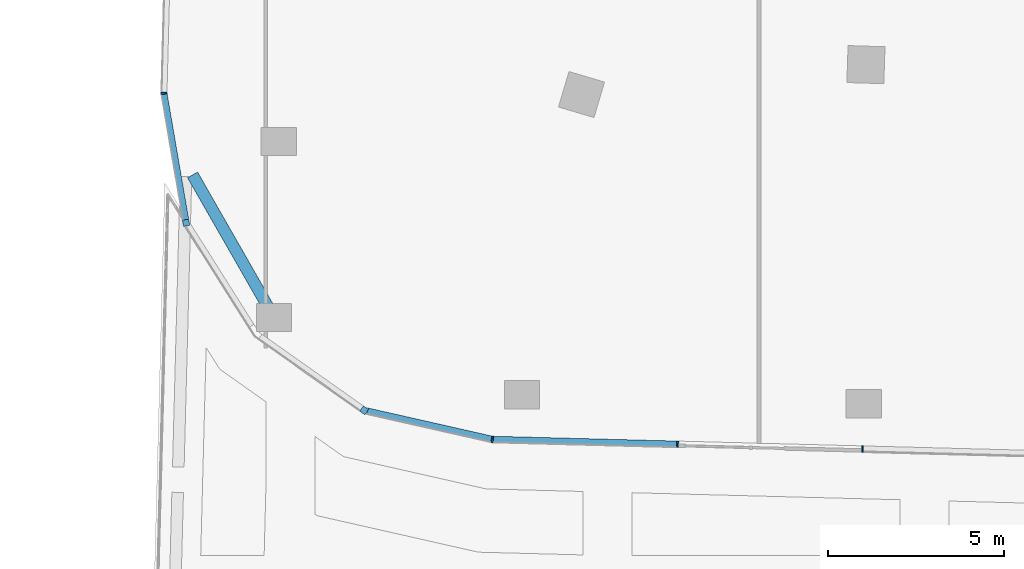
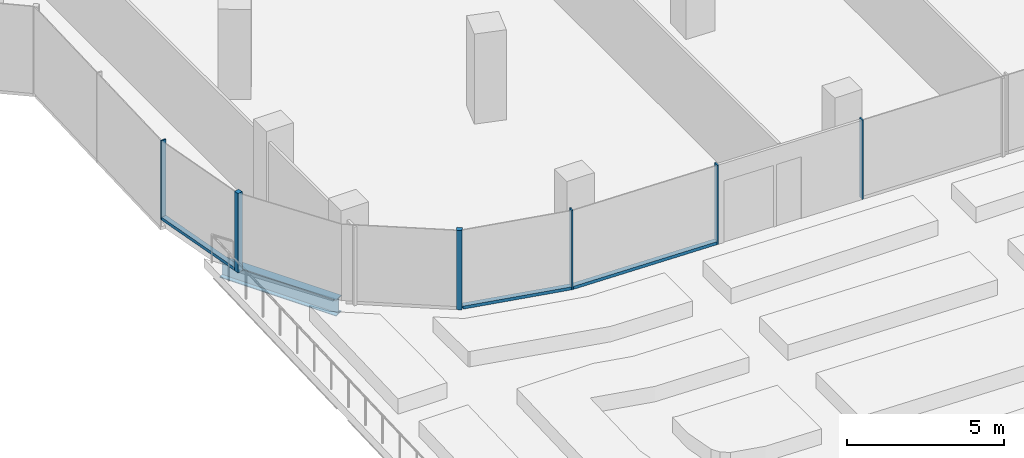
# One storey, part 2 of 25: 9 members, 1 beam, 5 elements without a shape of their own.
"""IFC4 building model written with IfcOpenShell, lengths in metres."""

from ifc_helpers import new_model, si_unit, direction, frame, origin, origin_2d, place, context, subcontext, project, spatial, rectangle, i_section, extrude, material, material_profile, profile_set, type_object, element, aggregate, save


model = new_model("IFC4")

# Units and contexts
model_context = context("Model", 3, precision=1e-05, world=origin(), true_north=direction((0.0, 1.0)))
body_context = subcontext(model_context, "Body", "Model", "MODEL_VIEW")
ifc_project = project(units=[si_unit("LENGTHUNIT", "METRE"), si_unit("AREAUNIT", "SQUARE_METRE"), si_unit("VOLUMEUNIT", "CUBIC_METRE"), si_unit("PLANEANGLEUNIT", "RADIAN"), si_unit("MASSUNIT", "GRAM", prefix="KILO")], contexts=[model_context])

# Site, building, storey
site_placement = place(None, origin())
site = spatial("IfcSite", under=ifc_project, at=site_placement, CompositionType="ELEMENT")
building_placement = place(site_placement, origin())
building = spatial("IfcBuilding", under=site, at=building_placement, Name="Orlundy Tower", CompositionType="ELEMENT")
storey_placement = place(building_placement, frame((0.0, 0.0, 217.5)))
storey = spatial("IfcBuildingStorey", under=building, at=storey_placement, Name="L57", CompositionType="ELEMENT", Elevation=217.5)

# Curtain wall, member
ifc_material_1 = material(Name="Aluminium bronze anodised", Category="aluminium")
curtain_wall_type = type_object("IfcCurtainWallType", Name="CW1 wall", PredefinedType="NOTDEFINED", material=ifc_material_1)
curtain_wall_1_placement = place(storey_placement, origin())
curtain_wall_1 = element("IfcCurtainWall", 1, at=curtain_wall_1_placement, inside=storey, type_object=curtain_wall_type, Name="CW1 run 025", PredefinedType="NOTDEFINED")
ifc_material_2 = material(Name="Aluminium bronze anodised", Category="aluminium")
ifc_material_profile_1 = material_profile(ifc_material_2, rectangle(XDim=0.179931640625, YDim=0.179931640625, at=origin_2d()), Name="CW1 corner post 180x180")
ifc_profile_set_1 = profile_set([ifc_material_profile_1], Name="Aluminium bronze anodised")
member_type_1 = type_object("IfcMemberType", Name="CW1 corner post 180x180", PredefinedType="MULLION", material=ifc_profile_set_1)
member_1_placement = place(storey_placement, frame((-15.209228515625, -39.476806640625, 0.0), z_axis=(0.0, 0.0, 1.0), x_axis=(-0.577096231381, -0.816676153518, 0.0)))
member_1 = element("IfcMember", 2, at=member_1_placement, type_object=member_type_1, Name="CW1 mullion 50", PredefinedType="MULLION", context=body_context, shape_type="SweptSolid", body=[
    extrude(rectangle(XDim=0.179931640625, YDim=0.179931640625, at=origin_2d()), origin(), (0.0, 0.0, 1.0), 3.080078125),
])
aggregate(curtain_wall_1, [member_1])

curtain_wall_2_placement = place(storey_placement, origin())
curtain_wall_2 = element("IfcCurtainWall", 3, at=curtain_wall_2_placement, inside=storey, type_object=curtain_wall_type, Name="CW1 run 027", PredefinedType="NOTDEFINED")
member_2_placement = place(storey_placement, frame((-20.2626953125, -34.15185546875, 0.0), z_axis=(0.0, 0.0, 1.0), x_axis=(-0.985542556373, -0.169428066085, 0.0)))
member_2 = element("IfcMember", 4, at=member_2_placement, type_object=member_type_1, Name="CW1 mullion 52", PredefinedType="MULLION", context=body_context, shape_type="SweptSolid", body=[
    extrude(rectangle(XDim=0.179931640625, YDim=0.179931640625, at=origin_2d()), origin(), (0.0, 0.0, 1.0), 3.080078125),
])

curtain_wall_3_placement = place(storey_placement, origin())
curtain_wall_3 = element("IfcCurtainWall", 5, at=curtain_wall_3_placement, inside=storey, type_object=curtain_wall_type, Name="CW1 run 00", PredefinedType="NOTDEFINED")
ifc_material_3 = material(Name="Aluminium bronze anodised", Category="aluminium")
ifc_material_profile_2 = material_profile(ifc_material_3, rectangle(XDim=0.179931640625, YDim=0.050048828125, at=origin_2d()), Name="CW1 mullion 50x180")
ifc_profile_set_2 = profile_set([ifc_material_profile_2], Name="Aluminium bronze anodised")
member_type_2 = type_object("IfcMemberType", Name="CW1 mullion 50x180", PredefinedType="MULLION", material=ifc_profile_set_2)
member_3_placement = place(storey_placement, frame((-20.895263671875, -30.472412109375, 0.0), z_axis=(0.0, 0.0, 1.0), x_axis=(-0.997409296077, -0.071935360565, 0.0)))
member_3 = element("IfcMember", 6, at=member_3_placement, type_object=member_type_2, Name="CW1 mullion 1", PredefinedType="MULLION", context=body_context, shape_type="SweptSolid", body=[
    extrude(rectangle(XDim=0.179931640625, YDim=0.050048828125, at=origin_2d()), origin(), (0.0, 0.0, 1.0), 3.080078125),
])
aggregate(curtain_wall_3, [member_3])

# Curtain wall, members
curtain_wall_4_placement = place(storey_placement, origin())
curtain_wall_4 = element("IfcCurtainWall", 7, at=curtain_wall_4_placement, inside=storey, type_object=curtain_wall_type, Name="CW1 run 023", PredefinedType="NOTDEFINED")
member_4_placement = place(storey_placement, frame((-1.062744140625, -40.575927734375, 0.0), z_axis=(0.0, 0.0, 1.0), x_axis=(-0.026190222342, -0.999656977295, 0.0)))
member_4 = element("IfcMember", 8, at=member_4_placement, type_object=member_type_2, Name="CW1 mullion 47", PredefinedType="MULLION", context=body_context, shape_type="SweptSolid", body=[
    extrude(rectangle(XDim=0.179931640625, YDim=0.050048828125, at=origin_2d()), origin(), (0.0, 0.0, 1.0), 3.080078125),
])
member_5_placement = place(storey_placement, frame((-6.31103515625, -40.4384765625, 0.0), z_axis=(0.0, 0.0, 1.0), x_axis=(-0.026190222342, -0.999656977295, 0.0)))
member_5 = element("IfcMember", 9, at=member_5_placement, type_object=member_type_2, Name="CW1 mullion 48", PredefinedType="MULLION", context=body_context, shape_type="SweptSolid", body=[
    extrude(rectangle(XDim=0.179931640625, YDim=0.050048828125, at=origin_2d()), origin(), (0.0, 0.0, 1.0), 3.080078125),
])

# Curtain wall, member
curtain_wall_5_placement = place(storey_placement, origin())
curtain_wall_5 = element("IfcCurtainWall", 10, at=curtain_wall_5_placement, inside=storey, type_object=curtain_wall_type, Name="CW1 run 024", PredefinedType="NOTDEFINED")
member_6_placement = place(storey_placement, frame((-11.568115234375, -40.30078125, 0.0), z_axis=(0.0, 0.0, 1.0), x_axis=(-0.124042216169, -0.992276941488, 0.0)))
member_6 = element("IfcMember", 11, at=member_6_placement, type_object=member_type_2, Name="CW1 mullion 49", PredefinedType="MULLION", context=body_context, shape_type="SweptSolid", body=[
    extrude(rectangle(XDim=0.179931640625, YDim=0.050048828125, at=origin_2d()), origin(), (0.0, 0.0, 1.0), 3.080078125),
])

# Member
ifc_material_4 = material(Name="Aluminium bronze anodised", Category="aluminium")
ifc_material_profile_3 = material_profile(ifc_material_4, rectangle(XDim=0.179931640625, YDim=0.1201171875, at=origin_2d()), Name="CW1 transom 180x120")
ifc_profile_set_3 = profile_set([ifc_material_profile_3], Name="Aluminium bronze anodised")
member_type_3 = type_object("IfcMemberType", Name="CW1 transom 180x120", PredefinedType="USERDEFINED", material=ifc_profile_set_3)
member_7_placement = place(storey_placement, frame((-6.336181640625, -40.437744140625, 0.06005859375), z_axis=(-0.99965792979, 0.026153841186, 0.0), x_axis=(-0.026153841186, -0.99965792979, 0.0)))
member_7 = element("IfcMember", 12, at=member_7_placement, type_object=member_type_3, Name="CW1 transom", ObjectType="TRANSOM", PredefinedType="USERDEFINED", context=body_context, shape_type="SweptSolid", body=[
    extrude(rectangle(XDim=0.179931640625, YDim=0.1201171875, at=origin_2d()), origin(), (0.0, 0.0, 1.0), 5.208740234375),
])

aggregate(curtain_wall_4, [member_4, member_5, member_7])

member_8_placement = place(storey_placement, frame((-11.5927734375, -40.295166015625, 0.06005859375), z_axis=(-0.975339671068, 0.220709143536, 0.0), x_axis=(-0.220709143536, -0.975339671068, 0.0)))
member_8 = element("IfcMember", 13, at=member_8_placement, type_object=member_type_3, Name="CW1 transom", ObjectType="TRANSOM", PredefinedType="USERDEFINED", context=body_context, shape_type="SweptSolid", body=[
    extrude(rectangle(XDim=0.179931640625, YDim=0.1201171875, at=origin_2d()), origin(), (0.0, 0.0, 1.0), 3.610595703125),
])

aggregate(curtain_wall_5, [member_6, member_8])

member_9_placement = place(storey_placement, frame((-20.27783203125, -34.063232421875, 0.06005859375), z_axis=(-0.16943012929, 0.985542201678, 0.0), x_axis=(-0.985542201678, -0.16943012929, 0.0)))
member_9 = element("IfcMember", 14, at=member_9_placement, type_object=member_type_3, Name="CW1 transom", ObjectType="TRANSOM", PredefinedType="USERDEFINED", context=body_context, shape_type="SweptSolid", body=[
    extrude(rectangle(XDim=0.179931640625, YDim=0.1201171875, at=origin_2d()), origin(), (0.0, 0.0, 1.0), 3.6181640625),
])

aggregate(curtain_wall_2, [member_2, member_9])

# Beam
ifc_material_5 = material(Name="Steel ASTM A992 Gr 50", Category="steel")
ifc_material_profile_4 = material_profile(ifc_material_5, i_section(OverallWidth=0.3291015625, OverallDepth=0.635009765625, WebThickness=0.017822265625, FlangeThickness=0.031005859375, at=origin_2d()), Name="W24X162")
ifc_profile_set_4 = profile_set([ifc_material_profile_4], Name="Steel ASTM A992 Gr 50")
beam_type = type_object("IfcBeamType", Name="TERRACE EDGE BEAM beam W24X162", PredefinedType="BEAM", material=ifc_profile_set_4)
beam_placement = place(storey_placement, frame((-20.078369140625, -32.79345703125, -0.737548828125), z_axis=(0.496383347906, -0.868103433884, 0.0), x_axis=(0.868103433884, 0.496383347906, 0.0)))
element("IfcBeam", 15, at=beam_placement, inside=storey, type_object=beam_type, Name="Terrace edge beam L57-1-01", PredefinedType="BEAM", context=body_context, shape_type="SweptSolid", body=[
    extrude(i_section(OverallWidth=0.3291015625, OverallDepth=0.635009765625, WebThickness=0.017822265625, FlangeThickness=0.031005859375, at=origin_2d()), origin(), (0.0, 0.0, 1.0), 4.302490234375),
])

save(model, "model.ifc")
